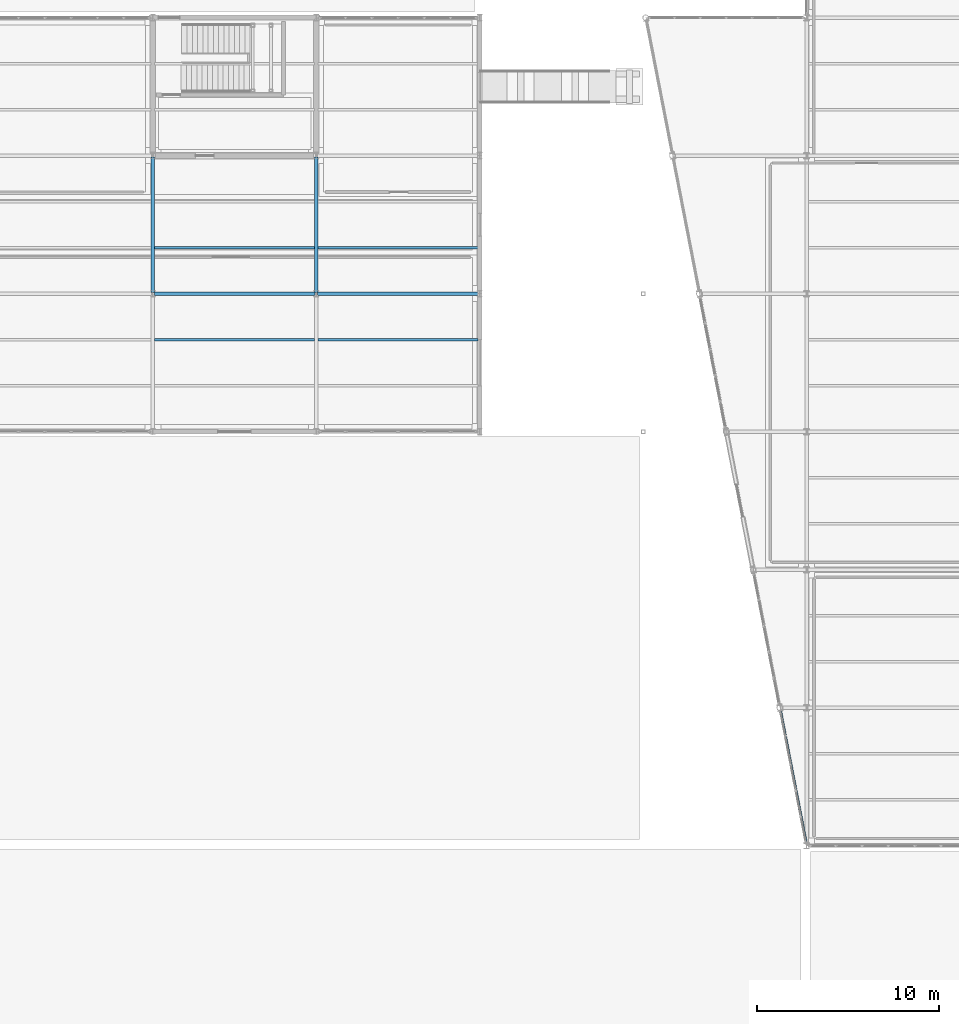
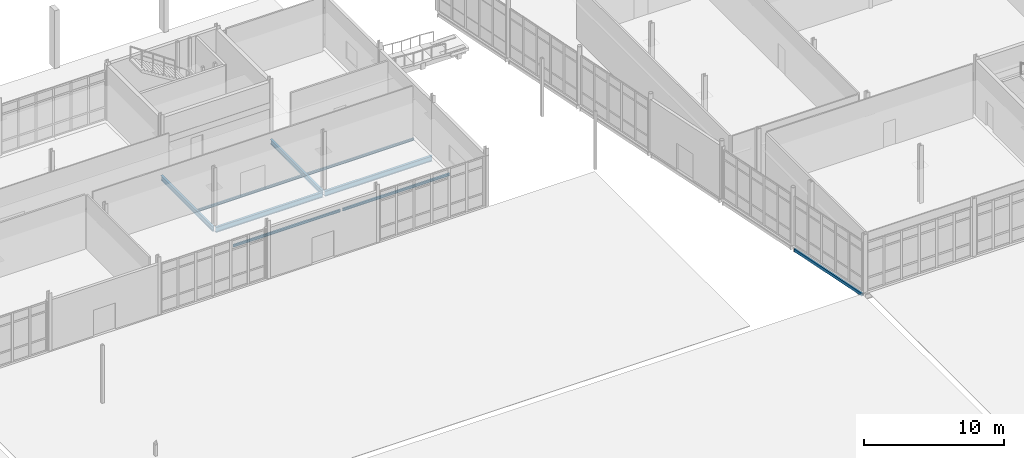
# One storey, part 82 of 161: 9 beams.
"""IFC4 building model written with IfcOpenShell, lengths in metres."""

import ifcopenshell
import ifcopenshell.guid

model = None  # the IFC model being written
_history = None  # IfcOwnerHistory: only IFC2X3 demands one
_inside = {}  # id of a spatial element -> (the spatial element, [elements in it])
_under = {}  # id of a project, library or spatial element -> (it, [spatial elements below it])
_declared = {}  # id of a project -> (the project, [libraries it declares])
_typed = {}  # id of a type object -> (the type object, [elements of that type])
_made_of = {}  # id of a material, layer set ... -> (it, [elements and type objects made of it])


def new_model(schema):
    """Start an empty IFC model of exactly this schema.

    Asked for "IFC4X3", IfcOpenShell would pick the latest addendum, in which some entities
    have other attributes; the version numbers below select the first issue.
    IFC2X3 requires an IfcOwnerHistory on every rooted entity: one is made here for all.
    """
    global model, _history
    if schema == "IFC4X3":
        model = ifcopenshell.file(schema_version=(4, 3, 0, 0))
    else:
        model = ifcopenshell.file(schema=schema)
    _inside.clear()
    _under.clear()
    _declared.clear()
    _typed.clear()
    _made_of.clear()
    _history = None
    if model.schema == "IFC2X3":
        org = make("IfcOrganization", Name="unknown")
        user = make(
            "IfcPersonAndOrganization",
            ThePerson=make("IfcPerson", FamilyName="unknown"),
            TheOrganization=org,
        )
        app = make(
            "IfcApplication",
            ApplicationDeveloper=org,
            Version="unknown",
            ApplicationFullName="unknown",
            ApplicationIdentifier="unknown",
        )
        _history = make(
            "IfcOwnerHistory",
            OwningUser=user,
            OwningApplication=app,
            ChangeAction="ADDED",
            CreationDate=0,
        )
    return model


def make(cls, **values):
    """One entity of the class cls with the attributes given. An attribute that is None is left unset."""
    return model.create_entity(
        cls, **{name: value for name, value in values.items() if value is not None}
    )


def rooted(cls, **values):
    """An entity with a GlobalId (a new one), such as an element, a storey or a relation."""
    return make(cls, GlobalId=ifcopenshell.guid.new(), OwnerHistory=_history, **values)


def si_unit(unit_type, name, prefix=None):
    """IfcSIUnit, for example si_unit("LENGTHUNIT", "METRE", prefix="MILLI")."""
    return make("IfcSIUnit", UnitType=unit_type, Prefix=prefix, Name=name)


def assignment(units):
    """IfcUnitAssignment: the units of a project."""
    return None if units is None else make("IfcUnitAssignment", Units=units)


def point(xyz):
    """IfcCartesianPoint."""
    return None if xyz is None else make("IfcCartesianPoint", Coordinates=xyz)


def direction(xyz):
    """IfcDirection."""
    return None if xyz is None else make("IfcDirection", DirectionRatios=xyz)


def frame(location, z_axis=None, x_axis=None):
    """IfcAxis2Placement3D, a coordinate frame: its origin and axes. An axis left out is left unset."""
    return make(
        "IfcAxis2Placement3D",
        Location=point(location),
        Axis=direction(z_axis),
        RefDirection=direction(x_axis),
    )


def frame_2d(location, x_axis=None):
    """IfcAxis2Placement2D, a coordinate frame in the plane: its origin and x axis."""
    return make(
        "IfcAxis2Placement2D", Location=point(location), RefDirection=direction(x_axis)
    )


def origin():
    """The frame at (0, 0, 0) with its axes left unset."""
    return frame((0.0, 0.0, 0.0))


def origin_2d():
    """The frame at (0, 0) in the plane with its x axis left unset."""
    return frame_2d((0.0, 0.0))


def place(relative_to, where):
    """IfcLocalPlacement: puts the frame where relative to a parent placement (None: the world)."""
    return make(
        "IfcLocalPlacement", PlacementRelTo=relative_to, RelativePlacement=where
    )


def context(
    kind, dimensions, precision=None, world=None, true_north=None, identifier=None
):
    """IfcGeometricRepresentationContext, for example the 3D "Model" context."""
    return make(
        "IfcGeometricRepresentationContext",
        ContextIdentifier=identifier,
        ContextType=kind,
        CoordinateSpaceDimension=dimensions,
        Precision=precision,
        WorldCoordinateSystem=world,
        TrueNorth=true_north,
    )


def subcontext(parent, identifier, kind, view, scale=None):
    """IfcGeometricRepresentationSubContext, for example "Body" below "Model"."""
    return make(
        "IfcGeometricRepresentationSubContext",
        ContextIdentifier=identifier,
        ContextType=kind,
        ParentContext=parent,
        TargetScale=scale,
        TargetView=view,
    )


def project(units=None, contexts=None):
    """IfcProject with its units and contexts."""
    return rooted(
        "IfcProject",
        Name="project",
        RepresentationContexts=contexts,
        UnitsInContext=assignment(units),
    )


def spatial(cls, under=None, at=None, **own):
    """A site, building, storey or space (cls), placed at a placement, below another one or the project."""
    s = rooted(cls, ObjectPlacement=at, **own)
    if under is not None:
        _under.setdefault(under.id(), (under, []))[1].append(s)
    return s


def profile(cls, at=None, kind="AREA", **sizes):
    """A parametric profile (cls). Its sizes go by their IFC names, for example OverallWidth=200.0."""
    return make(cls, ProfileType=kind, Position=at, **sizes)


def hollow_rectangle(**sizes):
    """IfcRectangleHollowProfileDef."""
    return profile("IfcRectangleHollowProfileDef", **sizes)


def i_section(**sizes):
    """IfcIShapeProfileDef."""
    return profile("IfcIShapeProfileDef", **sizes)


def extrude(swept, where, along, depth):
    """IfcExtrudedAreaSolid: the profile swept, set in the frame where, extruded along a direction by depth."""
    return make(
        "IfcExtrudedAreaSolid",
        SweptArea=swept,
        Position=where,
        ExtrudedDirection=direction(along),
        Depth=depth,
    )


def shape(context_of_items, identifier, shape_type, items):
    """IfcShapeRepresentation: the items that make up one representation, for example the "Body"."""
    return make(
        "IfcShapeRepresentation",
        ContextOfItems=context_of_items,
        RepresentationIdentifier=identifier,
        RepresentationType=shape_type,
        Items=items,
    )


def material(Name=None, Category=None):
    """IfcMaterial."""
    return make("IfcMaterial", Name=Name, Category=Category)


def material_profile(
    of_material, cross_section, Name=None, Category=None, Priority=None
):
    """IfcMaterialProfile: a cross section and its material."""
    return make(
        "IfcMaterialProfile",
        Name=Name,
        Material=of_material,
        Profile=cross_section,
        Priority=Priority,
        Category=Category,
    )


def profile_set(profiles, Name=None, composite=None):
    """IfcMaterialProfileSet."""
    return make(
        "IfcMaterialProfileSet",
        Name=Name,
        MaterialProfiles=profiles,
        CompositeProfile=composite,
    )


def made_of(thing, what):
    """Note that an element or type object is made of a material, layer set ...; save() writes the relation."""
    if what is not None:
        _made_of.setdefault(what.id(), (what, []))[1].append(thing)
    return thing


def type_object(cls, material=None, **own):
    """A type object (cls), such as IfcWallType, which elements share."""
    return made_of(rooted(cls, **own), material)


def element(
    cls,
    number,
    at=None,
    inside=None,
    cuts=None,
    type_object=None,
    material=None,
    context=None,
    identifier="Body",
    shape_type=None,
    held_by="IfcProductDefinitionShape",
    body=None,
    shapes=None,
    **own,
):
    """One element of the class cls, such as IfcWall. Its Tag is "e" and its number.

    at: its placement. inside: the storey or other place that contains it. cuts: it is an
    opening in that element (IfcRelVoidsElement). A single representation is given by context,
    identifier, shape_type and body (its items); several are given by shapes. held_by: the class
    of the entity that holds the representations. save() writes the other relations.
    """
    e = rooted(cls, Tag="e%d" % number, ObjectPlacement=at, **own)
    if body is not None:
        shapes = [shape(context, identifier, shape_type, body)]
    if shapes is not None:
        e.Representation = make(held_by, Representations=shapes)
    if inside is not None:
        _inside.setdefault(inside.id(), (inside, []))[1].append(e)
    if cuts is not None:
        rooted(
            "IfcRelVoidsElement", RelatingBuildingElement=cuts, RelatedOpeningElement=e
        )
    if type_object is not None:
        _typed.setdefault(type_object.id(), (type_object, []))[1].append(e)
    return made_of(e, material)


def aggregate(whole, parts):
    """IfcRelAggregates: a whole, such as a stair, and the parts it consists of."""
    return rooted("IfcRelAggregates", RelatingObject=whole, RelatedObjects=parts)


def save(model, path):
    """Write the relations noted so far, then the file.

    IfcRelAggregates (storeys below a building ...), IfcRelContainedInSpatialStructure (elements
    in a storey), IfcRelDefinesByType, IfcRelAssociatesMaterial and IfcRelDeclares: one each for
    every whole, place, type object, material and project.
    """
    for whole, parts in _under.values():
        aggregate(whole, parts)
    for where, things in _inside.values():
        rooted(
            "IfcRelContainedInSpatialStructure",
            RelatedElements=things,
            RelatingStructure=where,
        )
    for kind, things in _typed.values():
        rooted("IfcRelDefinesByType", RelatedObjects=things, RelatingType=kind)
    for what, things in _made_of.values():
        rooted("IfcRelAssociatesMaterial", RelatedObjects=things, RelatingMaterial=what)
    for by, libraries in _declared.values():
        rooted("IfcRelDeclares", RelatingContext=by, RelatedDefinitions=libraries)
    model.write(path)


model = new_model("IFC4")

# Units and contexts
model_context = context("Model", 3, precision=1e-05, world=origin(), true_north=direction((0.0, 1.0)))
body_context = subcontext(model_context, "Body", "Model", "MODEL_VIEW")
ifc_project = project(units=[si_unit("LENGTHUNIT", "METRE"), si_unit("AREAUNIT", "SQUARE_METRE"), si_unit("VOLUMEUNIT", "CUBIC_METRE"), si_unit("PLANEANGLEUNIT", "RADIAN"), si_unit("MASSUNIT", "GRAM", prefix="KILO")], contexts=[model_context])

# Site, building, storey
site_placement = place(None, origin())
site = spatial("IfcSite", under=ifc_project, at=site_placement, CompositionType="ELEMENT")
building_placement = place(site_placement, origin())
building = spatial("IfcBuilding", under=site, at=building_placement, Name="Caisbarro Railhouse Central Library", CompositionType="ELEMENT")
storey_placement = place(building_placement, origin())
storey = spatial("IfcBuildingStorey", under=building, at=storey_placement, Name="L00", CompositionType="ELEMENT", Elevation=0.0)

# Beams
ifc_material = material(Name="Steel ASTM A572 Grade 50", Category="steel")
ifc_material_profile_1 = material_profile(ifc_material, i_section(OverallWidth=0.18994140625, OverallDepth=0.45703125, WebThickness=0.009033203125, FlangeThickness=0.014404296875, FilletRadius=0.01806640625, at=origin_2d()), Name="W460X74.0")
ifc_profile_set_1 = profile_set([ifc_material_profile_1], Name="Steel ASTM A572 Grade 50")
beam_type_1 = type_object("IfcBeamType", Name="BM-G08", PredefinedType="BEAM", material=ifc_profile_set_1)
for number, where, z_axis, x_axis, name in (
    (1, (81.080078125, 91.199951171875, -0.478515625), (1.0, 0.0, 0.0), (0.0, 1.0, 0.0), "G08 beam L00 #621"),
    (2, (90.080078125, 91.199951171875, -0.478515625), (1.0, 0.0, 0.0), (0.0, 1.0, 0.0), "G08 beam L00 #622"),
):
    element("IfcBeam", number, at=place(storey_placement, frame(where, z_axis=z_axis, x_axis=x_axis)), inside=storey, type_object=beam_type_1, Name=name, PredefinedType="BEAM", context=body_context, shape_type="SweptSolid", body=[
        extrude(i_section(OverallWidth=0.18994140625, OverallDepth=0.45703125, WebThickness=0.009033203125, FlangeThickness=0.014404296875, FilletRadius=0.01806640625, at=origin_2d()), origin(), (0.0, 0.0, 1.0), 8.83984375),
    ])
ifc_material_profile_2 = material_profile(ifc_material, i_section(OverallWidth=0.177978515625, OverallDepth=0.406982421875, WebThickness=0.0078125, FlangeThickness=0.0126953125, FilletRadius=0.01611328125, at=origin_2d()), Name="W410X60.0")
ifc_profile_set_2 = profile_set([ifc_material_profile_2], Name="Steel ASTM A572 Grade 50")
beam_type_2 = type_object("IfcBeamType", Name="BM-G10", PredefinedType="BEAM", material=ifc_profile_set_2)
for number, where, z_axis, x_axis, name in (
    (3, (81.0, 91.280029296875, -0.45361328125), (0.0, 1.0, 0.0), (-1.0, 0.0, 0.0), "G10 beam L00 #643"),
    (4, (90.0, 91.280029296875, -0.45361328125), (0.0, 1.0, 0.0), (-1.0, 0.0, 0.0), "G10 beam L00 #646"),
):
    element("IfcBeam", number, at=place(storey_placement, frame(where, z_axis=z_axis, x_axis=x_axis)), inside=storey, type_object=beam_type_2, Name=name, PredefinedType="BEAM", context=body_context, shape_type="SweptSolid", body=[
        extrude(i_section(OverallWidth=0.177978515625, OverallDepth=0.406982421875, WebThickness=0.0078125, FlangeThickness=0.0126953125, FilletRadius=0.01611328125, at=origin_2d()), origin(), (0.0, 0.0, 1.0), 7.43994140625),
    ])
ifc_material_profile_3 = material_profile(ifc_material, i_section(OverallWidth=0.133056640625, OverallDepth=0.20703125, WebThickness=0.005859375, FlangeThickness=0.00830078125, FilletRadius=0.010009765625, at=origin_2d()), Name="W200X26.6")
ifc_profile_set_3 = profile_set([ifc_material_profile_3], Name="Steel ASTM A572 Grade 50")
beam_type_3 = type_object("IfcBeamType", Name="BM-J07", PredefinedType="JOIST", material=ifc_profile_set_3)
for number, where, z_axis, x_axis, name in (
    (5, (81.089111328125, 88.666748046875, -0.353515625), (1.0, 0.0, 0.0), (0.0, 1.0, 0.0), "J07 beam L00 #670"),
    (6, (81.089111328125, 93.7333984375, -0.353515625), (1.0, 0.0, 0.0), (0.0, 1.0, 0.0), "J07 beam L00 #671"),
    (7, (90.089111328125, 88.666748046875, -0.353515625), (1.0, 0.0, 0.0), (0.0, 1.0, 0.0), "J07 beam L00 #676"),
    (8, (90.089111328125, 93.7333984375, -0.353515625), (1.0, 0.0, 0.0), (0.0, 1.0, 0.0), "J07 beam L00 #677"),
):
    element("IfcBeam", number, at=place(storey_placement, frame(where, z_axis=z_axis, x_axis=x_axis)), inside=storey, type_object=beam_type_3, Name=name, PredefinedType="JOIST", context=body_context, shape_type="SweptSolid", body=[
        extrude(i_section(OverallWidth=0.133056640625, OverallDepth=0.20703125, WebThickness=0.005859375, FlangeThickness=0.00830078125, FilletRadius=0.010009765625, at=origin_2d()), origin(), (0.0, 0.0, 1.0), 8.82177734375),
    ])
ifc_material_profile_4 = material_profile(ifc_material, hollow_rectangle(XDim=0.14990234375, YDim=0.25, WallThickness=0.010009765625, at=origin_2d()), Name="HSS250X150X10")
ifc_profile_set_4 = profile_set([ifc_material_profile_4], Name="Steel ASTM A572 Grade 50")
beam_type_4 = type_object("IfcBeamType", Name="BM-SP03", PredefinedType="SPANDREL", material=ifc_profile_set_4)
beam_placement = place(storey_placement, frame((116.9658203125, 60.976806640625, -0.375), z_axis=(-0.1907899916, 0.981630877217, 0.0), x_axis=(-0.981630877217, -0.1907899916, 0.0)))
element("IfcBeam", 9, at=beam_placement, inside=storey, type_object=beam_type_4, Name="SP03 beam L00 #681", PredefinedType="SPANDREL", context=body_context, shape_type="SweptSolid", body=[
    extrude(hollow_rectangle(XDim=0.14990234375, YDim=0.25, WallThickness=0.010009765625, at=origin_2d()), origin(), (0.0, 0.0, 1.0), 7.382080078125),
])

save(model, "model.ifc")
